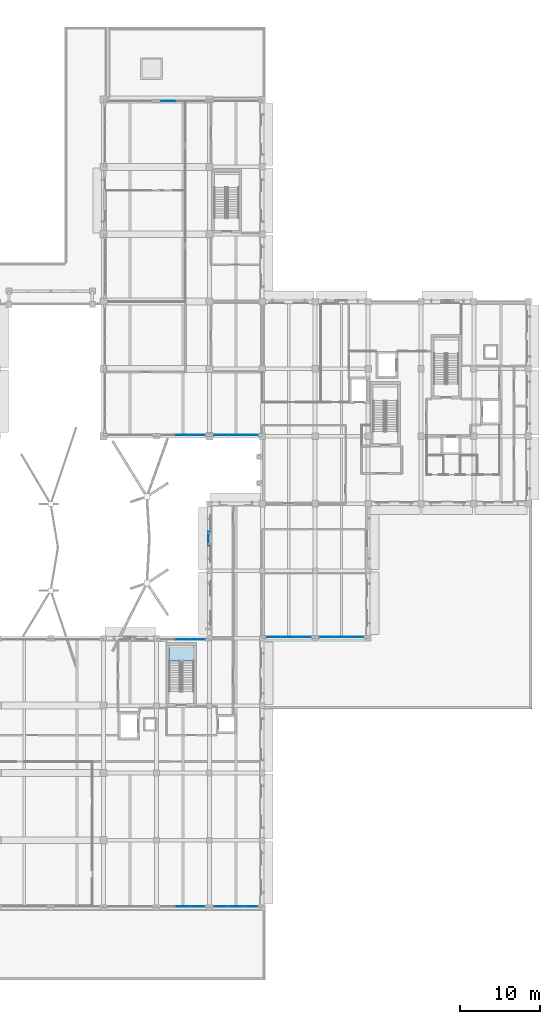
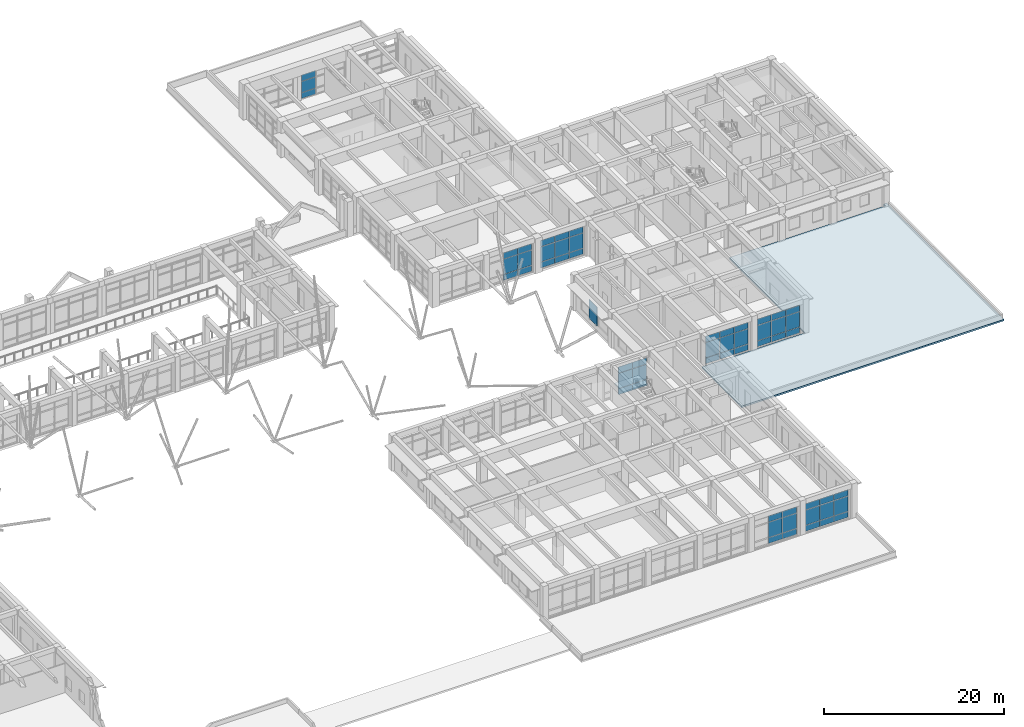
# One storey, part 39 of 75: 58 plates, 2 slabs, 9 elements without a shape of their own.
"""IFC4 building model written with IfcOpenShell, lengths in metres."""

from ifc_helpers import new_model, si_unit, direction, frame, origin, origin_2d, place, context, subcontext, project, spatial, polyline, rectangle, outline, extrude, material, layer, layer_set, type_object, element, aggregate, save


model = new_model("IFC4")

# Units and contexts
model_context = context("Model", 3, precision=1e-05, world=origin(), true_north=direction((0.0, 1.0)))
body_context = subcontext(model_context, "Body", "Model", "MODEL_VIEW")
ifc_project = project(units=[si_unit("LENGTHUNIT", "METRE"), si_unit("AREAUNIT", "SQUARE_METRE"), si_unit("VOLUMEUNIT", "CUBIC_METRE"), si_unit("PLANEANGLEUNIT", "RADIAN"), si_unit("MASSUNIT", "GRAM", prefix="KILO")], contexts=[model_context])

# Site, building, storey
site_placement = place(None, origin())
site = spatial("IfcSite", under=ifc_project, at=site_placement, CompositionType="ELEMENT")
building_placement = place(site_placement, origin())
building = spatial("IfcBuilding", under=site, at=building_placement, Name="Kolvaren Faculty of Natural Sciences", CompositionType="ELEMENT")
storey_placement = place(building_placement, frame((0.0, 0.0, 5.39990234375)))
storey = spatial("IfcBuildingStorey", under=building, at=storey_placement, Name="L01", CompositionType="ELEMENT", Elevation=5.39990234375)

# Curtain wall, plates
ifc_material_1 = material(Name="Thermally broken anodised aluminium framing", Category="aluminium")
ifc_layer_1 = layer(ifc_material_1, 0.179931640625)
ifc_layer_set_1 = layer_set([ifc_layer_1], Name="Thermally broken anodised aluminium framing")
curtain_wall_type = type_object("IfcCurtainWallType", Name="CommonsCurtainWall_CW02", PredefinedType="NOTDEFINED", material=ifc_layer_set_1)
curtain_wall_1_placement = place(storey_placement, origin())
curtain_wall_1 = element("IfcCurtainWall", 1, at=curtain_wall_1_placement, inside=storey, type_object=curtain_wall_type, Name="L01 unitised curtain wall CW-02 (CW-L01-030)", PredefinedType="NOTDEFINED")
ifc_material_2 = material(Name="Double low-E solar control insulated glazing", Category="glass")
ifc_layer_2 = layer(ifc_material_2, 0.035888671875)
ifc_layer_set_2 = layer_set([ifc_layer_2], Name="Double low-E solar control insulated glazing")
plate_type_1 = type_object("IfcPlateType", Name="EnvelopePlate_CWPGL1", PredefinedType="CURTAIN_PANEL", material=ifc_layer_set_2)
plate_1_placement = place(storey_placement, frame((137.333251953125, 67.56005859375, 0.920166015625), z_axis=(0.0, 0.0, 1.0), x_axis=(-1.0, 0.0, 0.0)))
plate_1 = element("IfcPlate", 2, at=plate_1_placement, type_object=plate_type_1, Name="CW-L01-030 panel 1 V1", PredefinedType="CURTAIN_PANEL", context=body_context, shape_type="SweptSolid", body=[
    extrude(rectangle(XDim=1.783203125, YDim=0.035888671875, at=origin_2d()), origin(), (0.0, 0.0, 1.0), 2.044921875),
])
plate_2_placement = place(storey_placement, frame((135.5, 67.56005859375, 0.920166015625), z_axis=(0.0, 0.0, 1.0), x_axis=(-1.0, 0.0, 0.0)))
plate_2 = element("IfcPlate", 3, at=plate_2_placement, type_object=plate_type_1, Name="CW-L01-030 panel 2 V1", PredefinedType="CURTAIN_PANEL", context=body_context, shape_type="SweptSolid", body=[
    extrude(rectangle(XDim=1.783203125, YDim=0.035888671875, at=origin_2d()), origin(), (0.0, 0.0, 1.0), 2.044921875),
])
plate_3_placement = place(storey_placement, frame((133.666748046875, 67.56005859375, 0.920166015625), z_axis=(0.0, 0.0, 1.0), x_axis=(-1.0, 0.0, 0.0)))
plate_3 = element("IfcPlate", 4, at=plate_3_placement, type_object=plate_type_1, Name="CW-L01-030 panel 3 V1", PredefinedType="CURTAIN_PANEL", context=body_context, shape_type="SweptSolid", body=[
    extrude(rectangle(XDim=1.783203125, YDim=0.035888671875, at=origin_2d()), origin(), (0.0, 0.0, 1.0), 2.044921875),
])

curtain_wall_2_placement = place(storey_placement, origin())
curtain_wall_2 = element("IfcCurtainWall", 5, at=curtain_wall_2_placement, inside=storey, type_object=curtain_wall_type, Name="L01 unitised curtain wall CW-02 (CW-L01-031)", PredefinedType="NOTDEFINED")
plate_4_placement = place(storey_placement, frame((130.7333984375, 67.56005859375, 0.920166015625), z_axis=(0.0, 0.0, 1.0), x_axis=(-1.0, 0.0, 0.0)))
plate_4 = element("IfcPlate", 6, at=plate_4_placement, type_object=plate_type_1, Name="CW-L01-031 panel 1 V1", PredefinedType="CURTAIN_PANEL", context=body_context, shape_type="SweptSolid", body=[
    extrude(rectangle(XDim=1.783203125, YDim=0.035888671875, at=origin_2d()), origin(), (0.0, 0.0, 1.0), 2.044921875),
])
plate_5_placement = place(storey_placement, frame((128.89990234375, 67.56005859375, 0.920166015625), z_axis=(0.0, 0.0, 1.0), x_axis=(-1.0, 0.0, 0.0)))
plate_5 = element("IfcPlate", 7, at=plate_5_placement, type_object=plate_type_1, Name="CW-L01-031 panel 2 V1", PredefinedType="CURTAIN_PANEL", context=body_context, shape_type="SweptSolid", body=[
    extrude(rectangle(XDim=1.783203125, YDim=0.035888671875, at=origin_2d()), origin(), (0.0, 0.0, 1.0), 2.044921875),
])

# Curtain wall, plate
curtain_wall_3_placement = place(storey_placement, origin())
curtain_wall_3 = element("IfcCurtainWall", 8, at=curtain_wall_3_placement, inside=storey, type_object=curtain_wall_type, Name="L01 unitised curtain wall CW-02 (CW-L01-038)", PredefinedType="NOTDEFINED")
plate_6_placement = place(storey_placement, frame((127.066650390625, 109.239990234375, 0.919921875), z_axis=(0.0, 0.0, 1.0), x_axis=(1.0, 0.0, 0.0)))
plate_6 = element("IfcPlate", 9, at=plate_6_placement, type_object=plate_type_1, Name="CW-L01-038 panel 1 V1", PredefinedType="CURTAIN_PANEL", context=body_context, shape_type="SweptSolid", body=[
    extrude(rectangle(XDim=1.783203125, YDim=0.035888671875, at=origin_2d()), origin(), (0.0, 0.0, 1.0), 1.4951171875),
])

# Curtain wall, plates
curtain_wall_4_placement = place(storey_placement, origin())
curtain_wall_4 = element("IfcCurtainWall", 10, at=curtain_wall_4_placement, inside=storey, type_object=curtain_wall_type, Name="L01 unitised curtain wall CW-02 (CW-L01-040)", PredefinedType="NOTDEFINED")
plate_7_placement = place(storey_placement, frame((150.533203125, 42.360107421875, 0.920166015625), z_axis=(0.0, 0.0, 1.0), x_axis=(-1.0, 0.0, 0.0)))
plate_7 = element("IfcPlate", 11, at=plate_7_placement, type_object=plate_type_1, Name="CW-L01-040 panel 1 V1", PredefinedType="CURTAIN_PANEL", context=body_context, shape_type="SweptSolid", body=[
    extrude(rectangle(XDim=1.783203125, YDim=0.035888671875, at=origin_2d()), origin(), (0.0, 0.0, 1.0), 2.044921875),
])
plate_8_placement = place(storey_placement, frame((148.699951171875, 42.360107421875, 0.920166015625), z_axis=(0.0, 0.0, 1.0), x_axis=(-1.0, 0.0, 0.0)))
plate_8 = element("IfcPlate", 12, at=plate_8_placement, type_object=plate_type_1, Name="CW-L01-040 panel 2 V1", PredefinedType="CURTAIN_PANEL", context=body_context, shape_type="SweptSolid", body=[
    extrude(rectangle(XDim=1.783203125, YDim=0.035888671875, at=origin_2d()), origin(), (0.0, 0.0, 1.0), 2.044921875),
])
plate_9_placement = place(storey_placement, frame((146.86669921875, 42.360107421875, 0.920166015625), z_axis=(0.0, 0.0, 1.0), x_axis=(-1.0, 0.0, 0.0)))
plate_9 = element("IfcPlate", 13, at=plate_9_placement, type_object=plate_type_1, Name="CW-L01-040 panel 3 V1", PredefinedType="CURTAIN_PANEL", context=body_context, shape_type="SweptSolid", body=[
    extrude(rectangle(XDim=1.783203125, YDim=0.035888671875, at=origin_2d()), origin(), (0.0, 0.0, 1.0), 2.044921875),
])

curtain_wall_5_placement = place(storey_placement, origin())
curtain_wall_5 = element("IfcCurtainWall", 14, at=curtain_wall_5_placement, inside=storey, type_object=curtain_wall_type, Name="L01 unitised curtain wall CW-02 (CW-L01-041)", PredefinedType="NOTDEFINED")
plate_10_placement = place(storey_placement, frame((143.933349609375, 42.360107421875, 0.920166015625), z_axis=(0.0, 0.0, 1.0), x_axis=(-1.0, 0.0, 0.0)))
plate_10 = element("IfcPlate", 15, at=plate_10_placement, type_object=plate_type_1, Name="CW-L01-041 panel 1 V1", PredefinedType="CURTAIN_PANEL", context=body_context, shape_type="SweptSolid", body=[
    extrude(rectangle(XDim=1.783203125, YDim=0.035888671875, at=origin_2d()), origin(), (0.0, 0.0, 1.0), 2.044921875),
])
plate_11_placement = place(storey_placement, frame((142.10009765625, 42.360107421875, 0.920166015625), z_axis=(0.0, 0.0, 1.0), x_axis=(-1.0, 0.0, 0.0)))
plate_11 = element("IfcPlate", 16, at=plate_11_placement, type_object=plate_type_1, Name="CW-L01-041 panel 2 V1", PredefinedType="CURTAIN_PANEL", context=body_context, shape_type="SweptSolid", body=[
    extrude(rectangle(XDim=1.783203125, YDim=0.035888671875, at=origin_2d()), origin(), (0.0, 0.0, 1.0), 2.044921875),
])
plate_12_placement = place(storey_placement, frame((140.2666015625, 42.360107421875, 0.920166015625), z_axis=(0.0, 0.0, 1.0), x_axis=(-1.0, 0.0, 0.0)))
plate_12 = element("IfcPlate", 17, at=plate_12_placement, type_object=plate_type_1, Name="CW-L01-041 panel 3 V1", PredefinedType="CURTAIN_PANEL", context=body_context, shape_type="SweptSolid", body=[
    extrude(rectangle(XDim=1.783203125, YDim=0.035888671875, at=origin_2d()), origin(), (0.0, 0.0, 1.0), 2.044921875),
])

curtain_wall_6_placement = place(storey_placement, origin())
curtain_wall_6 = element("IfcCurtainWall", 18, at=curtain_wall_6_placement, inside=storey, type_object=curtain_wall_type, Name="L01 unitised curtain wall CW-02 (CW-L01-042)", PredefinedType="NOTDEFINED")
plate_13_placement = place(storey_placement, frame((137.333251953125, 8.760009765625, 0.920166015625), z_axis=(0.0, 0.0, 1.0), x_axis=(-1.0, 0.0, 0.0)))
plate_13 = element("IfcPlate", 19, at=plate_13_placement, type_object=plate_type_1, Name="CW-L01-042 panel 1 V1", PredefinedType="CURTAIN_PANEL", context=body_context, shape_type="SweptSolid", body=[
    extrude(rectangle(XDim=1.783203125, YDim=0.035888671875, at=origin_2d()), origin(), (0.0, 0.0, 1.0), 2.044921875),
])
plate_14_placement = place(storey_placement, frame((135.5, 8.760009765625, 0.920166015625), z_axis=(0.0, 0.0, 1.0), x_axis=(-1.0, 0.0, 0.0)))
plate_14 = element("IfcPlate", 20, at=plate_14_placement, type_object=plate_type_1, Name="CW-L01-042 panel 2 V1", PredefinedType="CURTAIN_PANEL", context=body_context, shape_type="SweptSolid", body=[
    extrude(rectangle(XDim=1.783203125, YDim=0.035888671875, at=origin_2d()), origin(), (0.0, 0.0, 1.0), 2.044921875),
])
plate_15_placement = place(storey_placement, frame((133.666748046875, 8.760009765625, 0.920166015625), z_axis=(0.0, 0.0, 1.0), x_axis=(-1.0, 0.0, 0.0)))
plate_15 = element("IfcPlate", 21, at=plate_15_placement, type_object=plate_type_1, Name="CW-L01-042 panel 3 V1", PredefinedType="CURTAIN_PANEL", context=body_context, shape_type="SweptSolid", body=[
    extrude(rectangle(XDim=1.783203125, YDim=0.035888671875, at=origin_2d()), origin(), (0.0, 0.0, 1.0), 2.044921875),
])

curtain_wall_7_placement = place(storey_placement, origin())
curtain_wall_7 = element("IfcCurtainWall", 22, at=curtain_wall_7_placement, inside=storey, type_object=curtain_wall_type, Name="L01 unitised curtain wall CW-02 (CW-L01-043)", PredefinedType="NOTDEFINED")
plate_16_placement = place(storey_placement, frame((130.7333984375, 8.760009765625, 0.920166015625), z_axis=(0.0, 0.0, 1.0), x_axis=(-1.0, 0.0, 0.0)))
plate_16 = element("IfcPlate", 23, at=plate_16_placement, type_object=plate_type_1, Name="CW-L01-043 panel 1 V1", PredefinedType="CURTAIN_PANEL", context=body_context, shape_type="SweptSolid", body=[
    extrude(rectangle(XDim=1.783203125, YDim=0.035888671875, at=origin_2d()), origin(), (0.0, 0.0, 1.0), 2.044921875),
])
plate_17_placement = place(storey_placement, frame((128.89990234375, 8.760009765625, 0.920166015625), z_axis=(0.0, 0.0, 1.0), x_axis=(-1.0, 0.0, 0.0)))
plate_17 = element("IfcPlate", 24, at=plate_17_placement, type_object=plate_type_1, Name="CW-L01-043 panel 2 V1", PredefinedType="CURTAIN_PANEL", context=body_context, shape_type="SweptSolid", body=[
    extrude(rectangle(XDim=1.783203125, YDim=0.035888671875, at=origin_2d()), origin(), (0.0, 0.0, 1.0), 2.044921875),
])

curtain_wall_8_placement = place(storey_placement, origin())
curtain_wall_8 = element("IfcCurtainWall", 25, at=curtain_wall_8_placement, inside=storey, type_object=curtain_wall_type, Name="L01 unitised curtain wall CW-02 (CW-L01-051)", PredefinedType="NOTDEFINED")
plate_18_placement = place(storey_placement, frame((128.89990234375, 42.0400390625, 0.920166015625), z_axis=(0.0, 0.0, 1.0), x_axis=(1.0, 0.0, 0.0)))
plate_18 = element("IfcPlate", 26, at=plate_18_placement, type_object=plate_type_1, Name="CW-L01-051 panel 2 V1", PredefinedType="CURTAIN_PANEL", context=body_context, shape_type="SweptSolid", body=[
    extrude(rectangle(XDim=1.783203125, YDim=0.035888671875, at=origin_2d()), origin(), (0.0, 0.0, 1.0), 2.044921875),
])
plate_19_placement = place(storey_placement, frame((130.7333984375, 42.0400390625, 0.920166015625), z_axis=(0.0, 0.0, 1.0), x_axis=(1.0, 0.0, 0.0)))
plate_19 = element("IfcPlate", 27, at=plate_19_placement, type_object=plate_type_1, Name="CW-L01-051 panel 3 V1", PredefinedType="CURTAIN_PANEL", context=body_context, shape_type="SweptSolid", body=[
    extrude(rectangle(XDim=1.783203125, YDim=0.035888671875, at=origin_2d()), origin(), (0.0, 0.0, 1.0), 2.044921875),
])

# Plate
ifc_layer_3 = layer(ifc_material_2, 0.035888671875)
ifc_layer_set_3 = layer_set([ifc_layer_3], Name="Double low-E solar control insulated glazing")
plate_type_2 = type_object("IfcPlateType", Name="EnvelopePlate_CWPGL2", PredefinedType="CURTAIN_PANEL", material=ifc_layer_set_3)
plate_20_placement = place(storey_placement, frame((137.333251953125, 67.56005859375, 3.005126953125), z_axis=(0.0, 0.0, 1.0), x_axis=(-1.0, 0.0, 0.0)))
plate_20 = element("IfcPlate", 28, at=plate_20_placement, type_object=plate_type_2, Name="CW-L01-030 panel 1 V2", PredefinedType="CURTAIN_PANEL", context=body_context, shape_type="SweptSolid", body=[
    extrude(rectangle(XDim=1.783203125, YDim=0.035888671875, at=origin_2d()), origin(), (0.0, 0.0, 1.0), 0.830078125),
])

plate_21_placement = place(storey_placement, frame((135.5, 67.56005859375, 3.005126953125), z_axis=(0.0, 0.0, 1.0), x_axis=(-1.0, 0.0, 0.0)))
plate_21 = element("IfcPlate", 29, at=plate_21_placement, type_object=plate_type_2, Name="CW-L01-030 panel 2 V2", PredefinedType="CURTAIN_PANEL", context=body_context, shape_type="SweptSolid", body=[
    extrude(rectangle(XDim=1.783203125, YDim=0.035888671875, at=origin_2d()), origin(), (0.0, 0.0, 1.0), 0.830078125),
])

plate_22_placement = place(storey_placement, frame((133.666748046875, 67.56005859375, 3.005126953125), z_axis=(0.0, 0.0, 1.0), x_axis=(-1.0, 0.0, 0.0)))
plate_22 = element("IfcPlate", 30, at=plate_22_placement, type_object=plate_type_2, Name="CW-L01-030 panel 3 V2", PredefinedType="CURTAIN_PANEL", context=body_context, shape_type="SweptSolid", body=[
    extrude(rectangle(XDim=1.783203125, YDim=0.035888671875, at=origin_2d()), origin(), (0.0, 0.0, 1.0), 0.830078125),
])

plate_23_placement = place(storey_placement, frame((130.7333984375, 67.56005859375, 3.005126953125), z_axis=(0.0, 0.0, 1.0), x_axis=(-1.0, 0.0, 0.0)))
plate_23 = element("IfcPlate", 31, at=plate_23_placement, type_object=plate_type_2, Name="CW-L01-031 panel 1 V2", PredefinedType="CURTAIN_PANEL", context=body_context, shape_type="SweptSolid", body=[
    extrude(rectangle(XDim=1.783203125, YDim=0.035888671875, at=origin_2d()), origin(), (0.0, 0.0, 1.0), 0.830078125),
])

plate_24_placement = place(storey_placement, frame((128.89990234375, 67.56005859375, 3.005126953125), z_axis=(0.0, 0.0, 1.0), x_axis=(-1.0, 0.0, 0.0)))
plate_24 = element("IfcPlate", 32, at=plate_24_placement, type_object=plate_type_2, Name="CW-L01-031 panel 2 V2", PredefinedType="CURTAIN_PANEL", context=body_context, shape_type="SweptSolid", body=[
    extrude(rectangle(XDim=1.783203125, YDim=0.035888671875, at=origin_2d()), origin(), (0.0, 0.0, 1.0), 0.830078125),
])

plate_25_placement = place(storey_placement, frame((127.066650390625, 109.239990234375, 2.455078125), z_axis=(0.0, 0.0, 1.0), x_axis=(1.0, 0.0, 0.0)))
plate_25 = element("IfcPlate", 33, at=plate_25_placement, type_object=plate_type_2, Name="CW-L01-038 panel 1 V2", PredefinedType="CURTAIN_PANEL", context=body_context, shape_type="SweptSolid", body=[
    extrude(rectangle(XDim=1.783203125, YDim=0.035888671875, at=origin_2d()), origin(), (0.0, 0.0, 1.0), 0.830078125),
])

plate_26_placement = place(storey_placement, frame((150.533203125, 42.360107421875, 3.005126953125), z_axis=(0.0, 0.0, 1.0), x_axis=(-1.0, 0.0, 0.0)))
plate_26 = element("IfcPlate", 34, at=plate_26_placement, type_object=plate_type_2, Name="CW-L01-040 panel 1 V2", PredefinedType="CURTAIN_PANEL", context=body_context, shape_type="SweptSolid", body=[
    extrude(rectangle(XDim=1.783203125, YDim=0.035888671875, at=origin_2d()), origin(), (0.0, 0.0, 1.0), 0.830078125),
])

plate_27_placement = place(storey_placement, frame((148.699951171875, 42.360107421875, 3.005126953125), z_axis=(0.0, 0.0, 1.0), x_axis=(-1.0, 0.0, 0.0)))
plate_27 = element("IfcPlate", 35, at=plate_27_placement, type_object=plate_type_2, Name="CW-L01-040 panel 2 V2", PredefinedType="CURTAIN_PANEL", context=body_context, shape_type="SweptSolid", body=[
    extrude(rectangle(XDim=1.783203125, YDim=0.035888671875, at=origin_2d()), origin(), (0.0, 0.0, 1.0), 0.830078125),
])

plate_28_placement = place(storey_placement, frame((146.86669921875, 42.360107421875, 3.005126953125), z_axis=(0.0, 0.0, 1.0), x_axis=(-1.0, 0.0, 0.0)))
plate_28 = element("IfcPlate", 36, at=plate_28_placement, type_object=plate_type_2, Name="CW-L01-040 panel 3 V2", PredefinedType="CURTAIN_PANEL", context=body_context, shape_type="SweptSolid", body=[
    extrude(rectangle(XDim=1.783203125, YDim=0.035888671875, at=origin_2d()), origin(), (0.0, 0.0, 1.0), 0.830078125),
])

plate_29_placement = place(storey_placement, frame((143.933349609375, 42.360107421875, 3.005126953125), z_axis=(0.0, 0.0, 1.0), x_axis=(-1.0, 0.0, 0.0)))
plate_29 = element("IfcPlate", 37, at=plate_29_placement, type_object=plate_type_2, Name="CW-L01-041 panel 1 V2", PredefinedType="CURTAIN_PANEL", context=body_context, shape_type="SweptSolid", body=[
    extrude(rectangle(XDim=1.783203125, YDim=0.035888671875, at=origin_2d()), origin(), (0.0, 0.0, 1.0), 0.830078125),
])

plate_30_placement = place(storey_placement, frame((142.10009765625, 42.360107421875, 3.005126953125), z_axis=(0.0, 0.0, 1.0), x_axis=(-1.0, 0.0, 0.0)))
plate_30 = element("IfcPlate", 38, at=plate_30_placement, type_object=plate_type_2, Name="CW-L01-041 panel 2 V2", PredefinedType="CURTAIN_PANEL", context=body_context, shape_type="SweptSolid", body=[
    extrude(rectangle(XDim=1.783203125, YDim=0.035888671875, at=origin_2d()), origin(), (0.0, 0.0, 1.0), 0.830078125),
])

plate_31_placement = place(storey_placement, frame((140.2666015625, 42.360107421875, 3.005126953125), z_axis=(0.0, 0.0, 1.0), x_axis=(-1.0, 0.0, 0.0)))
plate_31 = element("IfcPlate", 39, at=plate_31_placement, type_object=plate_type_2, Name="CW-L01-041 panel 3 V2", PredefinedType="CURTAIN_PANEL", context=body_context, shape_type="SweptSolid", body=[
    extrude(rectangle(XDim=1.783203125, YDim=0.035888671875, at=origin_2d()), origin(), (0.0, 0.0, 1.0), 0.830078125),
])

plate_32_placement = place(storey_placement, frame((137.333251953125, 8.760009765625, 3.005126953125), z_axis=(0.0, 0.0, 1.0), x_axis=(-1.0, 0.0, 0.0)))
plate_32 = element("IfcPlate", 40, at=plate_32_placement, type_object=plate_type_2, Name="CW-L01-042 panel 1 V2", PredefinedType="CURTAIN_PANEL", context=body_context, shape_type="SweptSolid", body=[
    extrude(rectangle(XDim=1.783203125, YDim=0.035888671875, at=origin_2d()), origin(), (0.0, 0.0, 1.0), 0.830078125),
])

plate_33_placement = place(storey_placement, frame((135.5, 8.760009765625, 3.005126953125), z_axis=(0.0, 0.0, 1.0), x_axis=(-1.0, 0.0, 0.0)))
plate_33 = element("IfcPlate", 41, at=plate_33_placement, type_object=plate_type_2, Name="CW-L01-042 panel 2 V2", PredefinedType="CURTAIN_PANEL", context=body_context, shape_type="SweptSolid", body=[
    extrude(rectangle(XDim=1.783203125, YDim=0.035888671875, at=origin_2d()), origin(), (0.0, 0.0, 1.0), 0.830078125),
])

plate_34_placement = place(storey_placement, frame((133.666748046875, 8.760009765625, 3.005126953125), z_axis=(0.0, 0.0, 1.0), x_axis=(-1.0, 0.0, 0.0)))
plate_34 = element("IfcPlate", 42, at=plate_34_placement, type_object=plate_type_2, Name="CW-L01-042 panel 3 V2", PredefinedType="CURTAIN_PANEL", context=body_context, shape_type="SweptSolid", body=[
    extrude(rectangle(XDim=1.783203125, YDim=0.035888671875, at=origin_2d()), origin(), (0.0, 0.0, 1.0), 0.830078125),
])

plate_35_placement = place(storey_placement, frame((130.7333984375, 8.760009765625, 3.005126953125), z_axis=(0.0, 0.0, 1.0), x_axis=(-1.0, 0.0, 0.0)))
plate_35 = element("IfcPlate", 43, at=plate_35_placement, type_object=plate_type_2, Name="CW-L01-043 panel 1 V2", PredefinedType="CURTAIN_PANEL", context=body_context, shape_type="SweptSolid", body=[
    extrude(rectangle(XDim=1.783203125, YDim=0.035888671875, at=origin_2d()), origin(), (0.0, 0.0, 1.0), 0.830078125),
])

plate_36_placement = place(storey_placement, frame((128.89990234375, 8.760009765625, 3.005126953125), z_axis=(0.0, 0.0, 1.0), x_axis=(-1.0, 0.0, 0.0)))
plate_36 = element("IfcPlate", 44, at=plate_36_placement, type_object=plate_type_2, Name="CW-L01-043 panel 2 V2", PredefinedType="CURTAIN_PANEL", context=body_context, shape_type="SweptSolid", body=[
    extrude(rectangle(XDim=1.783203125, YDim=0.035888671875, at=origin_2d()), origin(), (0.0, 0.0, 1.0), 0.830078125),
])

plate_37_placement = place(storey_placement, frame((128.89990234375, 42.0400390625, 3.005126953125), z_axis=(0.0, 0.0, 1.0), x_axis=(1.0, 0.0, 0.0)))
plate_37 = element("IfcPlate", 45, at=plate_37_placement, type_object=plate_type_2, Name="CW-L01-051 panel 2 V2", PredefinedType="CURTAIN_PANEL", context=body_context, shape_type="SweptSolid", body=[
    extrude(rectangle(XDim=1.783203125, YDim=0.035888671875, at=origin_2d()), origin(), (0.0, 0.0, 1.0), 0.830078125),
])

plate_38_placement = place(storey_placement, frame((130.7333984375, 42.0400390625, 3.005126953125), z_axis=(0.0, 0.0, 1.0), x_axis=(1.0, 0.0, 0.0)))
plate_38 = element("IfcPlate", 46, at=plate_38_placement, type_object=plate_type_2, Name="CW-L01-051 panel 3 V2", PredefinedType="CURTAIN_PANEL", context=body_context, shape_type="SweptSolid", body=[
    extrude(rectangle(XDim=1.783203125, YDim=0.035888671875, at=origin_2d()), origin(), (0.0, 0.0, 1.0), 0.830078125),
])

ifc_material_3 = material(Name="Insulated anodised aluminium spandrel panel", Category="aluminium")
ifc_layer_4 = layer(ifc_material_3, 0.050048828125)
ifc_layer_set_4 = layer_set([ifc_layer_4], Name="Insulated anodised aluminium spandrel panel")
plate_type_3 = type_object("IfcPlateType", Name="EnvelopePlate_CWPSP1", PredefinedType="SHEET", material=ifc_layer_set_4)
plate_39_placement = place(storey_placement, frame((137.333251953125, 67.56005859375, 0.10009765625), z_axis=(0.0, 0.0, 1.0), x_axis=(-1.0, 0.0, 0.0)))
plate_39 = element("IfcPlate", 47, at=plate_39_placement, type_object=plate_type_3, Name="CW-L01-030 panel 1 SP", PredefinedType="SHEET", context=body_context, shape_type="SweptSolid", body=[
    extrude(rectangle(XDim=1.783203125, YDim=0.050048828125, at=origin_2d()), origin(), (0.0, 0.0, 1.0), 0.780029296875),
])

plate_40_placement = place(storey_placement, frame((135.5, 67.56005859375, 0.10009765625), z_axis=(0.0, 0.0, 1.0), x_axis=(-1.0, 0.0, 0.0)))
plate_40 = element("IfcPlate", 48, at=plate_40_placement, type_object=plate_type_3, Name="CW-L01-030 panel 2 SP", PredefinedType="SHEET", context=body_context, shape_type="SweptSolid", body=[
    extrude(rectangle(XDim=1.783203125, YDim=0.050048828125, at=origin_2d()), origin(), (0.0, 0.0, 1.0), 0.780029296875),
])

plate_41_placement = place(storey_placement, frame((133.666748046875, 67.56005859375, 0.10009765625), z_axis=(0.0, 0.0, 1.0), x_axis=(-1.0, 0.0, 0.0)))
plate_41 = element("IfcPlate", 49, at=plate_41_placement, type_object=plate_type_3, Name="CW-L01-030 panel 3 SP", PredefinedType="SHEET", context=body_context, shape_type="SweptSolid", body=[
    extrude(rectangle(XDim=1.783203125, YDim=0.050048828125, at=origin_2d()), origin(), (0.0, 0.0, 1.0), 0.780029296875),
])

aggregate(curtain_wall_1, [plate_39, plate_1, plate_20, plate_40, plate_2, plate_21, plate_41, plate_3, plate_22])

plate_42_placement = place(storey_placement, frame((130.7333984375, 67.56005859375, 0.10009765625), z_axis=(0.0, 0.0, 1.0), x_axis=(-1.0, 0.0, 0.0)))
plate_42 = element("IfcPlate", 50, at=plate_42_placement, type_object=plate_type_3, Name="CW-L01-031 panel 1 SP", PredefinedType="SHEET", context=body_context, shape_type="SweptSolid", body=[
    extrude(rectangle(XDim=1.783203125, YDim=0.050048828125, at=origin_2d()), origin(), (0.0, 0.0, 1.0), 0.780029296875),
])

plate_43_placement = place(storey_placement, frame((128.89990234375, 67.56005859375, 0.10009765625), z_axis=(0.0, 0.0, 1.0), x_axis=(-1.0, 0.0, 0.0)))
plate_43 = element("IfcPlate", 51, at=plate_43_placement, type_object=plate_type_3, Name="CW-L01-031 panel 2 SP", PredefinedType="SHEET", context=body_context, shape_type="SweptSolid", body=[
    extrude(rectangle(XDim=1.783203125, YDim=0.050048828125, at=origin_2d()), origin(), (0.0, 0.0, 1.0), 0.780029296875),
])

aggregate(curtain_wall_2, [plate_42, plate_4, plate_23, plate_43, plate_5, plate_24])

plate_44_placement = place(storey_placement, frame((127.066650390625, 109.239990234375, 0.10009765625), z_axis=(0.0, 0.0, 1.0), x_axis=(1.0, 0.0, 0.0)))
plate_44 = element("IfcPlate", 52, at=plate_44_placement, type_object=plate_type_3, Name="CW-L01-038 panel 1 SP", PredefinedType="SHEET", context=body_context, shape_type="SweptSolid", body=[
    extrude(rectangle(XDim=1.783203125, YDim=0.050048828125, at=origin_2d()), origin(), (0.0, 0.0, 1.0), 0.780029296875),
])

aggregate(curtain_wall_3, [plate_44, plate_6, plate_25])

plate_45_placement = place(storey_placement, frame((150.533203125, 42.360107421875, 0.10009765625), z_axis=(0.0, 0.0, 1.0), x_axis=(-1.0, 0.0, 0.0)))
plate_45 = element("IfcPlate", 53, at=plate_45_placement, type_object=plate_type_3, Name="CW-L01-040 panel 1 SP", PredefinedType="SHEET", context=body_context, shape_type="SweptSolid", body=[
    extrude(rectangle(XDim=1.783203125, YDim=0.050048828125, at=origin_2d()), origin(), (0.0, 0.0, 1.0), 0.780029296875),
])

plate_46_placement = place(storey_placement, frame((148.699951171875, 42.360107421875, 0.10009765625), z_axis=(0.0, 0.0, 1.0), x_axis=(-1.0, 0.0, 0.0)))
plate_46 = element("IfcPlate", 54, at=plate_46_placement, type_object=plate_type_3, Name="CW-L01-040 panel 2 SP", PredefinedType="SHEET", context=body_context, shape_type="SweptSolid", body=[
    extrude(rectangle(XDim=1.783203125, YDim=0.050048828125, at=origin_2d()), origin(), (0.0, 0.0, 1.0), 0.780029296875),
])

plate_47_placement = place(storey_placement, frame((146.86669921875, 42.360107421875, 0.10009765625), z_axis=(0.0, 0.0, 1.0), x_axis=(-1.0, 0.0, 0.0)))
plate_47 = element("IfcPlate", 55, at=plate_47_placement, type_object=plate_type_3, Name="CW-L01-040 panel 3 SP", PredefinedType="SHEET", context=body_context, shape_type="SweptSolid", body=[
    extrude(rectangle(XDim=1.783203125, YDim=0.050048828125, at=origin_2d()), origin(), (0.0, 0.0, 1.0), 0.780029296875),
])

aggregate(curtain_wall_4, [plate_45, plate_7, plate_26, plate_46, plate_8, plate_27, plate_47, plate_9, plate_28])

plate_48_placement = place(storey_placement, frame((143.933349609375, 42.360107421875, 0.10009765625), z_axis=(0.0, 0.0, 1.0), x_axis=(-1.0, 0.0, 0.0)))
plate_48 = element("IfcPlate", 56, at=plate_48_placement, type_object=plate_type_3, Name="CW-L01-041 panel 1 SP", PredefinedType="SHEET", context=body_context, shape_type="SweptSolid", body=[
    extrude(rectangle(XDim=1.783203125, YDim=0.050048828125, at=origin_2d()), origin(), (0.0, 0.0, 1.0), 0.780029296875),
])

plate_49_placement = place(storey_placement, frame((142.10009765625, 42.360107421875, 0.10009765625), z_axis=(0.0, 0.0, 1.0), x_axis=(-1.0, 0.0, 0.0)))
plate_49 = element("IfcPlate", 57, at=plate_49_placement, type_object=plate_type_3, Name="CW-L01-041 panel 2 SP", PredefinedType="SHEET", context=body_context, shape_type="SweptSolid", body=[
    extrude(rectangle(XDim=1.783203125, YDim=0.050048828125, at=origin_2d()), origin(), (0.0, 0.0, 1.0), 0.780029296875),
])

plate_50_placement = place(storey_placement, frame((140.2666015625, 42.360107421875, 0.10009765625), z_axis=(0.0, 0.0, 1.0), x_axis=(-1.0, 0.0, 0.0)))
plate_50 = element("IfcPlate", 58, at=plate_50_placement, type_object=plate_type_3, Name="CW-L01-041 panel 3 SP", PredefinedType="SHEET", context=body_context, shape_type="SweptSolid", body=[
    extrude(rectangle(XDim=1.783203125, YDim=0.050048828125, at=origin_2d()), origin(), (0.0, 0.0, 1.0), 0.780029296875),
])

aggregate(curtain_wall_5, [plate_48, plate_10, plate_29, plate_49, plate_11, plate_30, plate_50, plate_12, plate_31])

plate_51_placement = place(storey_placement, frame((137.333251953125, 8.760009765625, 0.10009765625), z_axis=(0.0, 0.0, 1.0), x_axis=(-1.0, 0.0, 0.0)))
plate_51 = element("IfcPlate", 59, at=plate_51_placement, type_object=plate_type_3, Name="CW-L01-042 panel 1 SP", PredefinedType="SHEET", context=body_context, shape_type="SweptSolid", body=[
    extrude(rectangle(XDim=1.783203125, YDim=0.050048828125, at=origin_2d()), origin(), (0.0, 0.0, 1.0), 0.780029296875),
])

plate_52_placement = place(storey_placement, frame((135.5, 8.760009765625, 0.10009765625), z_axis=(0.0, 0.0, 1.0), x_axis=(-1.0, 0.0, 0.0)))
plate_52 = element("IfcPlate", 60, at=plate_52_placement, type_object=plate_type_3, Name="CW-L01-042 panel 2 SP", PredefinedType="SHEET", context=body_context, shape_type="SweptSolid", body=[
    extrude(rectangle(XDim=1.783203125, YDim=0.050048828125, at=origin_2d()), origin(), (0.0, 0.0, 1.0), 0.780029296875),
])

plate_53_placement = place(storey_placement, frame((133.666748046875, 8.760009765625, 0.10009765625), z_axis=(0.0, 0.0, 1.0), x_axis=(-1.0, 0.0, 0.0)))
plate_53 = element("IfcPlate", 61, at=plate_53_placement, type_object=plate_type_3, Name="CW-L01-042 panel 3 SP", PredefinedType="SHEET", context=body_context, shape_type="SweptSolid", body=[
    extrude(rectangle(XDim=1.783203125, YDim=0.050048828125, at=origin_2d()), origin(), (0.0, 0.0, 1.0), 0.780029296875),
])

aggregate(curtain_wall_6, [plate_51, plate_13, plate_32, plate_52, plate_14, plate_33, plate_53, plate_15, plate_34])

plate_54_placement = place(storey_placement, frame((130.7333984375, 8.760009765625, 0.10009765625), z_axis=(0.0, 0.0, 1.0), x_axis=(-1.0, 0.0, 0.0)))
plate_54 = element("IfcPlate", 62, at=plate_54_placement, type_object=plate_type_3, Name="CW-L01-043 panel 1 SP", PredefinedType="SHEET", context=body_context, shape_type="SweptSolid", body=[
    extrude(rectangle(XDim=1.783203125, YDim=0.050048828125, at=origin_2d()), origin(), (0.0, 0.0, 1.0), 0.780029296875),
])

plate_55_placement = place(storey_placement, frame((128.89990234375, 8.760009765625, 0.10009765625), z_axis=(0.0, 0.0, 1.0), x_axis=(-1.0, 0.0, 0.0)))
plate_55 = element("IfcPlate", 63, at=plate_55_placement, type_object=plate_type_3, Name="CW-L01-043 panel 2 SP", PredefinedType="SHEET", context=body_context, shape_type="SweptSolid", body=[
    extrude(rectangle(XDim=1.783203125, YDim=0.050048828125, at=origin_2d()), origin(), (0.0, 0.0, 1.0), 0.780029296875),
])

aggregate(curtain_wall_7, [plate_54, plate_16, plate_35, plate_55, plate_17, plate_36])

plate_56_placement = place(storey_placement, frame((128.89990234375, 42.0400390625, 0.10009765625), z_axis=(0.0, 0.0, 1.0), x_axis=(1.0, 0.0, 0.0)))
plate_56 = element("IfcPlate", 64, at=plate_56_placement, type_object=plate_type_3, Name="CW-L01-051 panel 2 SP", PredefinedType="SHEET", context=body_context, shape_type="SweptSolid", body=[
    extrude(rectangle(XDim=1.783203125, YDim=0.050048828125, at=origin_2d()), origin(), (0.0, 0.0, 1.0), 0.780029296875),
])

plate_57_placement = place(storey_placement, frame((130.7333984375, 42.0400390625, 0.10009765625), z_axis=(0.0, 0.0, 1.0), x_axis=(1.0, 0.0, 0.0)))
plate_57 = element("IfcPlate", 65, at=plate_57_placement, type_object=plate_type_3, Name="CW-L01-051 panel 3 SP", PredefinedType="SHEET", context=body_context, shape_type="SweptSolid", body=[
    extrude(rectangle(XDim=1.783203125, YDim=0.050048828125, at=origin_2d()), origin(), (0.0, 0.0, 1.0), 0.780029296875),
])

aggregate(curtain_wall_8, [plate_56, plate_18, plate_37, plate_57, plate_19, plate_38])

ifc_material_4 = material(Name="Extruded architectural terracotta screen", Category="masonry")
ifc_layer_5 = layer(ifc_material_4, 0.06494140625)
ifc_layer_set_5 = layer_set([ifc_layer_5], Name="Extruded architectural terracotta screen")
plate_type_4 = type_object("IfcPlateType", Name="EnvelopePlate_JL02", PredefinedType="USERDEFINED", material=ifc_layer_set_5)
plate_58_placement = place(storey_placement, frame((132.06005859375, 54.639892578125, 0.85009765625), z_axis=(0.0, 0.0, 1.0), x_axis=(0.0, 1.0, 0.0)))
element("IfcPlate", 66, at=plate_58_placement, inside=storey, type_object=plate_type_4, Name="L01 perforated terracotta jali sun screen JL-02", ObjectType="SCREEN", PredefinedType="USERDEFINED", context=body_context, shape_type="SweptSolid", body=[
    extrude(rectangle(XDim=1.75, YDim=0.06494140625, at=origin_2d()), origin(), (0.0, 0.0, 1.0), 2.60009765625),
])

# Slab
ifc_material_5 = material(Name="Concrete C35/45", Category="concrete")
ifc_layer_6 = layer(ifc_material_5, 0.219970703125)
ifc_layer_set_6 = layer_set([ifc_layer_6], Name="Concrete C35/45")
slab_type_1 = type_object("IfcSlabType", Name="FlatWingRoofSlab_220", PredefinedType="ROOF", material=ifc_layer_set_6)
slab_1_placement = place(storey_placement, frame((0.0, 0.0, -0.219970703125)))
element("IfcSlab", 67, at=slab_1_placement, inside=storey, type_object=slab_type_1, Name="L01 flat reinforced concrete roof slab 3", PredefinedType="ROOF", context=body_context, shape_type="SweptSolid", body=[
    extrude(outline(polyline([(138.820068359375, 42.179931640625), (152.0, 42.179931640625), (152.001953125, 42.18017578125), (152.00390625, 42.180419921875), (152.005859375, 42.180908203125), (152.0078125, 42.181396484375), (152.009521484375, 42.182373046875), (152.010986328125, 42.183349609375), (152.0126953125, 42.1845703125), (152.01416015625, 42.185791015625), (152.015380859375, 42.187255859375), (152.0166015625, 42.18896484375), (152.017578125, 42.190673828125), (152.0185546875, 42.1923828125), (152.01904296875, 42.194091796875), (152.01953125, 42.196044921875), (152.02001953125, 42.197998046875), (152.02001953125, 42.199951171875), (152.02001953125, 58.97998046875), (172.0, 58.97998046875), (172.001953125, 58.97998046875), (172.00390625, 58.98046875), (172.005859375, 58.98095703125), (172.0078125, 58.9814453125), (172.009521484375, 58.982421875), (172.010986328125, 58.9833984375), (172.0126953125, 58.984619140625), (172.01416015625, 58.98583984375), (172.015380859375, 58.9873046875), (172.0166015625, 58.989013671875), (172.017578125, 58.990478515625), (172.0185546875, 58.9921875), (172.01904296875, 58.994140625), (172.01953125, 58.99609375), (172.02001953125, 58.998046875), (172.02001953125, 59.0), (172.02001953125, 59.3798828125), (172.429931640625, 59.3798828125), (172.429931640625, 33.3701171875), (138.820068359375, 33.3701171875), (138.820068359375, 42.179931640625)])), origin(), (0.0, 0.0, 1.0), 0.219970703125),
])

# Stair, slab
stair_type = type_object("IfcStairType", Name="DoglegStair_H4800", PredefinedType="HALF_TURN_STAIR", material=ifc_material_5)
stair_placement = place(storey_placement, origin())
stair = element("IfcStair", 68, at=stair_placement, inside=storey, type_object=stair_type, Name="L01 Protected exit stair ST-3", PredefinedType="HALF_TURN_STAIR")
ifc_layer_7 = layer(ifc_material_5, 0.199951171875)
ifc_layer_set_7 = layer_set([ifc_layer_7], Name="Concrete C35/45")
slab_type_2 = type_object("IfcSlabType", Name="StairLandingSlab_200", PredefinedType="LANDING", material=ifc_layer_set_7)
slab_2_placement = place(storey_placement, frame((0.0, 0.0, 2.2001953125)))
slab_2 = element("IfcSlab", 69, at=slab_2_placement, type_object=slab_type_2, Name="ST-3 landing 1", PredefinedType="LANDING", context=body_context, shape_type="SweptSolid", body=[
    extrude(outline(polyline([(130.25, 39.385009765625), (130.25, 41.35009765625), (127.14990234375, 41.35009765625), (127.14990234375, 39.385009765625), (130.25, 39.385009765625)])), origin(), (0.0, 0.0, 1.0), 0.199951171875),
])
aggregate(stair, [slab_2])

save(model, "model.ifc")
